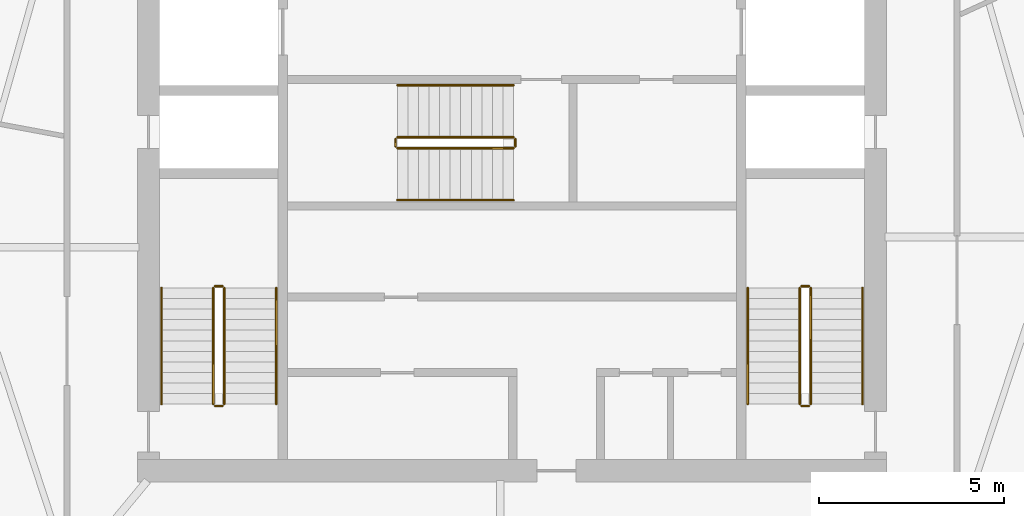
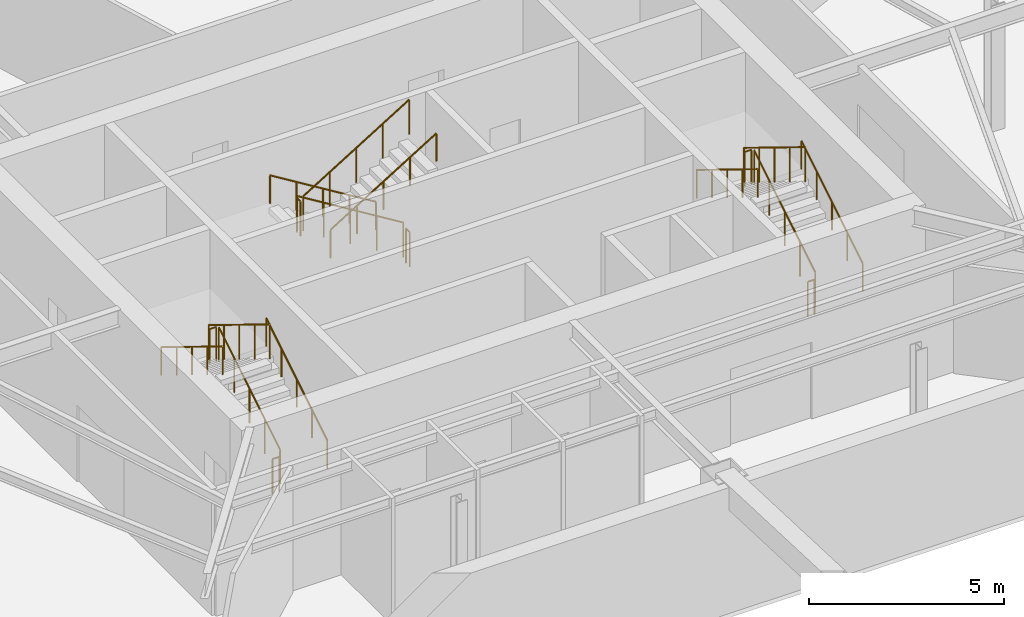
# One storey, part 8 of 8: 18 railings.
"""IFC4 building model written with IfcOpenShell, lengths in metres."""

from ifc_helpers import new_model, si_unit, direction, frame, origin, origin_2d, place, context, subcontext, project, spatial, circle, extrude, material, type_object, element, save


model = new_model("IFC4")

# Units and contexts
model_context = context("Model", 3, precision=1e-05, world=origin(), true_north=direction((0.0, 1.0)))
body_context = subcontext(model_context, "Body", "Model", "MODEL_VIEW")
ifc_project = project(units=[si_unit("LENGTHUNIT", "METRE"), si_unit("AREAUNIT", "SQUARE_METRE"), si_unit("VOLUMEUNIT", "CUBIC_METRE"), si_unit("PLANEANGLEUNIT", "RADIAN"), si_unit("MASSUNIT", "GRAM", prefix="KILO")], contexts=[model_context])

# Site, building, storey
site_placement = place(None, origin())
site = spatial("IfcSite", under=ifc_project, at=site_placement, CompositionType="ELEMENT")
building_placement = place(site_placement, origin())
building = spatial("IfcBuilding", under=site, at=building_placement, Name="Kavelnor Concourse Tower", CompositionType="ELEMENT")
storey_placement = place(building_placement, frame((0.0, 0.0, -4.199951171875)))
storey = spatial("IfcBuildingStorey", under=building, at=storey_placement, Name="B01", CompositionType="ELEMENT", Elevation=-4.199951171875)

# Railings
ifc_material = material(Name="Steel Grade 350", Category="steel")
railing_type_1 = type_object("IfcRailingType", Name="RLG-GUARD-1100", PredefinedType="GUARDRAIL", material=ifc_material)
railing_1_placement = place(storey_placement, frame((30.22998046875, 11.10009765625, 0.175048828125)))
element("IfcRailing", 1, at=railing_1_placement, inside=storey, type_object=railing_type_1, Name="B01 ST1 stair guard 1", PredefinedType="GUARDRAIL", context=body_context, shape_type="SweptSolid", body=[
    extrude(circle(Radius=0.02392578125, at=origin_2d()), frame((0.0, 0.0, 1.076171875), z_axis=(0.0, 0.852195625947, 0.523223293744), x_axis=(-1.0, 0.0, 0.0)), (0.0, 0.0, 1.0), 3.6787109375),
    extrude(circle(Radius=0.02099609375, at=origin_2d()), origin(), (0.0, 0.0, 1.0), 1.052001953125),
    extrude(circle(Radius=0.02099609375, at=origin_2d()), frame((0.0, 0.78369140625, 0.481201171875)), (0.0, 0.0, 1.0), 1.052001953125),
    extrude(circle(Radius=0.02099609375, at=origin_2d()), frame((0.0, 1.5673828125, 0.96240234375)), (0.0, 0.0, 1.0), 1.052001953125),
    extrude(circle(Radius=0.02099609375, at=origin_2d()), frame((0.0, 2.351318359375, 1.443603515625)), (0.0, 0.0, 1.0), 1.052001953125),
    extrude(circle(Radius=0.02099609375, at=origin_2d()), frame((0.0, 3.135009765625, 1.9248046875)), (0.0, 0.0, 1.0), 1.052001953125),
])
railing_2_placement = place(storey_placement, frame((30.179931640625, 14.284912109375, 2.099853515625)))
element("IfcRailing", 2, at=railing_2_placement, inside=storey, type_object=railing_type_1, Name="B01 ST1 stair guard 2", PredefinedType="GUARDRAIL", context=body_context, shape_type="SweptSolid", body=[
    extrude(circle(Radius=0.02392578125, at=origin_2d()), frame((0.0, 0.0, 1.076171875), z_axis=(-1.0, 0.0, 0.0), x_axis=(0.0, -1.0, 0.0)), (0.0, 0.0, 1.0), 0.199951171875),
    extrude(circle(Radius=0.02099609375, at=origin_2d()), origin(), (0.0, 0.0, 1.0), 1.052001953125),
    extrude(circle(Radius=0.02099609375, at=origin_2d()), frame((-0.199951171875, 0.0, 0.0)), (0.0, 0.0, 1.0), 1.052001953125),
])
railing_3_placement = place(storey_placement, frame((29.929931640625, 14.235107421875, 2.27490234375)))
element("IfcRailing", 3, at=railing_3_placement, inside=storey, type_object=railing_type_1, Name="B01 ST1 stair guard 3", PredefinedType="GUARDRAIL", context=body_context, shape_type="SweptSolid", body=[
    extrude(circle(Radius=0.02392578125, at=origin_2d()), frame((0.0, 0.0, 1.076171875), z_axis=(0.0, -0.852166034122, 0.523271488128), x_axis=(1.0, 0.0, 0.0)), (0.0, 0.0, 1.0), 3.678955078125),
    extrude(circle(Radius=0.02099609375, at=origin_2d()), origin(), (0.0, 0.0, 1.0), 1.052001953125),
    extrude(circle(Radius=0.02099609375, at=origin_2d()), frame((0.0, -0.78369140625, 0.481201171875)), (0.0, 0.0, 1.0), 1.052001953125),
    extrude(circle(Radius=0.02099609375, at=origin_2d()), frame((0.0, -1.5673828125, 0.96240234375)), (0.0, 0.0, 1.0), 1.052001953125),
    extrude(circle(Radius=0.02099609375, at=origin_2d()), frame((0.0, -2.351318359375, 1.44384765625)), (0.0, 0.0, 1.0), 1.052001953125),
    extrude(circle(Radius=0.02099609375, at=origin_2d()), frame((0.0, -3.135009765625, 1.925048828125)), (0.0, 0.0, 1.0), 1.052001953125),
])
railing_4_placement = place(storey_placement, frame((30.179931640625, 11.050048828125, 0.0)))
element("IfcRailing", 4, at=railing_4_placement, inside=storey, type_object=railing_type_1, Name="B01 ST1 stair guard 4", PredefinedType="GUARDRAIL", context=body_context, shape_type="SweptSolid", body=[
    extrude(circle(Radius=0.02392578125, at=origin_2d()), frame((0.0, 0.0, 1.076171875), z_axis=(-1.0, 0.0, 0.0), x_axis=(0.0, -1.0, 0.0)), (0.0, 0.0, 1.0), 0.199951171875),
    extrude(circle(Radius=0.02099609375, at=origin_2d()), origin(), (0.0, 0.0, 1.0), 1.052001953125),
    extrude(circle(Radius=0.02099609375, at=origin_2d()), frame((-0.199951171875, 0.0, 0.0)), (0.0, 0.0, 1.0), 1.052001953125),
])
railing_5_placement = place(storey_placement, frame((46.070068359375, 11.10009765625, 0.175048828125)))
element("IfcRailing", 5, at=railing_5_placement, inside=storey, type_object=railing_type_1, Name="B01 ST2 stair guard 1", PredefinedType="GUARDRAIL", context=body_context, shape_type="SweptSolid", body=[
    extrude(circle(Radius=0.02392578125, at=origin_2d()), frame((0.0, 0.0, 1.076171875), z_axis=(0.0, 0.852195625947, 0.523223293744), x_axis=(-1.0, 0.0, 0.0)), (0.0, 0.0, 1.0), 3.6787109375),
    extrude(circle(Radius=0.02099609375, at=origin_2d()), origin(), (0.0, 0.0, 1.0), 1.052001953125),
    extrude(circle(Radius=0.02099609375, at=origin_2d()), frame((0.0, 0.78369140625, 0.481201171875)), (0.0, 0.0, 1.0), 1.052001953125),
    extrude(circle(Radius=0.02099609375, at=origin_2d()), frame((0.0, 1.5673828125, 0.96240234375)), (0.0, 0.0, 1.0), 1.052001953125),
    extrude(circle(Radius=0.02099609375, at=origin_2d()), frame((0.0, 2.351318359375, 1.443603515625)), (0.0, 0.0, 1.0), 1.052001953125),
    extrude(circle(Radius=0.02099609375, at=origin_2d()), frame((0.0, 3.135009765625, 1.9248046875)), (0.0, 0.0, 1.0), 1.052001953125),
])
railing_6_placement = place(storey_placement, frame((46.02001953125, 14.284912109375, 2.099853515625)))
element("IfcRailing", 6, at=railing_6_placement, inside=storey, type_object=railing_type_1, Name="B01 ST2 stair guard 2", PredefinedType="GUARDRAIL", context=body_context, shape_type="SweptSolid", body=[
    extrude(circle(Radius=0.02392578125, at=origin_2d()), frame((0.0, 0.0, 1.076171875), z_axis=(-1.0, 0.0, 0.0), x_axis=(0.0, -1.0, 0.0)), (0.0, 0.0, 1.0), 0.199951171875),
    extrude(circle(Radius=0.02099609375, at=origin_2d()), origin(), (0.0, 0.0, 1.0), 1.052001953125),
    extrude(circle(Radius=0.02099609375, at=origin_2d()), frame((-0.199951171875, 0.0, 0.0)), (0.0, 0.0, 1.0), 1.052001953125),
])
railing_7_placement = place(storey_placement, frame((45.77001953125, 14.235107421875, 2.27490234375)))
element("IfcRailing", 7, at=railing_7_placement, inside=storey, type_object=railing_type_1, Name="B01 ST2 stair guard 3", PredefinedType="GUARDRAIL", context=body_context, shape_type="SweptSolid", body=[
    extrude(circle(Radius=0.02392578125, at=origin_2d()), frame((0.0, 0.0, 1.076171875), z_axis=(0.0, -0.852166034122, 0.523271488128), x_axis=(1.0, 0.0, 0.0)), (0.0, 0.0, 1.0), 3.678955078125),
    extrude(circle(Radius=0.02099609375, at=origin_2d()), origin(), (0.0, 0.0, 1.0), 1.052001953125),
    extrude(circle(Radius=0.02099609375, at=origin_2d()), frame((0.0, -0.78369140625, 0.481201171875)), (0.0, 0.0, 1.0), 1.052001953125),
    extrude(circle(Radius=0.02099609375, at=origin_2d()), frame((0.0, -1.5673828125, 0.96240234375)), (0.0, 0.0, 1.0), 1.052001953125),
    extrude(circle(Radius=0.02099609375, at=origin_2d()), frame((0.0, -2.351318359375, 1.44384765625)), (0.0, 0.0, 1.0), 1.052001953125),
    extrude(circle(Radius=0.02099609375, at=origin_2d()), frame((0.0, -3.135009765625, 1.925048828125)), (0.0, 0.0, 1.0), 1.052001953125),
])
railing_8_placement = place(storey_placement, frame((46.02001953125, 11.050048828125, 0.0)))
element("IfcRailing", 8, at=railing_8_placement, inside=storey, type_object=railing_type_1, Name="B01 ST2 stair guard 4", PredefinedType="GUARDRAIL", context=body_context, shape_type="SweptSolid", body=[
    extrude(circle(Radius=0.02392578125, at=origin_2d()), frame((0.0, 0.0, 1.076171875), z_axis=(-1.0, 0.0, 0.0), x_axis=(0.0, -1.0, 0.0)), (0.0, 0.0, 1.0), 0.199951171875),
    extrude(circle(Radius=0.02099609375, at=origin_2d()), origin(), (0.0, 0.0, 1.0), 1.052001953125),
    extrude(circle(Radius=0.02099609375, at=origin_2d()), frame((-0.199951171875, 0.0, 0.0)), (0.0, 0.0, 1.0), 1.052001953125),
])
railing_9_placement = place(storey_placement, frame((38.0400390625, 18.31005859375, 0.175048828125)))
element("IfcRailing", 9, at=railing_9_placement, inside=storey, type_object=railing_type_1, Name="B01 ST3 stair guard 1", PredefinedType="GUARDRAIL", context=body_context, shape_type="SweptSolid", body=[
    extrude(circle(Radius=0.02392578125, at=origin_2d()), frame((0.0, 0.0, 1.076171875), z_axis=(-0.852195625947, 0.0, 0.523223293744), x_axis=(0.0, -1.0, 0.0)), (0.0, 0.0, 1.0), 3.6787109375),
    extrude(circle(Radius=0.02099609375, at=origin_2d()), origin(), (0.0, 0.0, 1.0), 1.052001953125),
    extrude(circle(Radius=0.02099609375, at=origin_2d()), frame((-0.78369140625, 0.0, 0.481201171875)), (0.0, 0.0, 1.0), 1.052001953125),
    extrude(circle(Radius=0.02099609375, at=origin_2d()), frame((-1.5673828125, 0.0, 0.96240234375)), (0.0, 0.0, 1.0), 1.052001953125),
    extrude(circle(Radius=0.02099609375, at=origin_2d()), frame((-2.351318359375, 0.0, 1.443603515625)), (0.0, 0.0, 1.0), 1.052001953125),
    extrude(circle(Radius=0.02099609375, at=origin_2d()), frame((-3.135009765625, 0.0, 1.9248046875)), (0.0, 0.0, 1.0), 1.052001953125),
])
railing_10_placement = place(storey_placement, frame((34.85498046875, 18.260009765625, 2.099853515625)))
element("IfcRailing", 10, at=railing_10_placement, inside=storey, type_object=railing_type_1, Name="B01 ST3 stair guard 2", PredefinedType="GUARDRAIL", context=body_context, shape_type="SweptSolid", body=[
    extrude(circle(Radius=0.02392578125, at=origin_2d()), frame((0.0, 0.0, 1.076171875), z_axis=(0.0, -1.0, 0.0), x_axis=(1.0, 0.0, 0.0)), (0.0, 0.0, 1.0), 0.199951171875),
    extrude(circle(Radius=0.02099609375, at=origin_2d()), origin(), (0.0, 0.0, 1.0), 1.052001953125),
    extrude(circle(Radius=0.02099609375, at=origin_2d()), frame((0.0, -0.199951171875, 0.0)), (0.0, 0.0, 1.0), 1.052001953125),
])
railing_11_placement = place(storey_placement, frame((34.905029296875, 18.010009765625, 2.27490234375)))
element("IfcRailing", 11, at=railing_11_placement, inside=storey, type_object=railing_type_1, Name="B01 ST3 stair guard 3", PredefinedType="GUARDRAIL", context=body_context, shape_type="SweptSolid", body=[
    extrude(circle(Radius=0.02392578125, at=origin_2d()), frame((0.0, 0.0, 1.076171875), z_axis=(0.852166034122, 0.0, 0.523271488128), x_axis=(0.0, 1.0, 0.0)), (0.0, 0.0, 1.0), 3.678955078125),
    extrude(circle(Radius=0.02099609375, at=origin_2d()), origin(), (0.0, 0.0, 1.0), 1.052001953125),
    extrude(circle(Radius=0.02099609375, at=origin_2d()), frame((0.78369140625, 0.0, 0.481201171875)), (0.0, 0.0, 1.0), 1.052001953125),
    extrude(circle(Radius=0.02099609375, at=origin_2d()), frame((1.5673828125, 0.0, 0.96240234375)), (0.0, 0.0, 1.0), 1.052001953125),
    extrude(circle(Radius=0.02099609375, at=origin_2d()), frame((2.351318359375, 0.0, 1.44384765625)), (0.0, 0.0, 1.0), 1.052001953125),
    extrude(circle(Radius=0.02099609375, at=origin_2d()), frame((3.135009765625, 0.0, 1.925048828125)), (0.0, 0.0, 1.0), 1.052001953125),
])
railing_12_placement = place(storey_placement, frame((38.090087890625, 18.260009765625, 0.0)))
element("IfcRailing", 12, at=railing_12_placement, inside=storey, type_object=railing_type_1, Name="B01 ST3 stair guard 4", PredefinedType="GUARDRAIL", context=body_context, shape_type="SweptSolid", body=[
    extrude(circle(Radius=0.02392578125, at=origin_2d()), frame((0.0, 0.0, 1.076171875), z_axis=(0.0, -1.0, 0.0), x_axis=(1.0, 0.0, 0.0)), (0.0, 0.0, 1.0), 0.199951171875),
    extrude(circle(Radius=0.02099609375, at=origin_2d()), origin(), (0.0, 0.0, 1.0), 1.052001953125),
    extrude(circle(Radius=0.02099609375, at=origin_2d()), frame((0.0, -0.199951171875, 0.0)), (0.0, 0.0, 1.0), 1.052001953125),
])
railing_type_2 = type_object("IfcRailingType", Name="RLG-HANDRAIL-900", PredefinedType="HANDRAIL", material=ifc_material)
railing_13_placement = place(storey_placement, frame((31.6298828125, 11.10009765625, 0.175048828125)))
element("IfcRailing", 13, at=railing_13_placement, inside=storey, type_object=railing_type_2, Name="B01 ST1 stair handrail 1", PredefinedType="HANDRAIL", context=body_context, shape_type="SweptSolid", body=[
    extrude(circle(Radius=0.02392578125, at=origin_2d()), frame((0.0, 0.0, 0.8759765625), z_axis=(0.0, 0.852195625947, 0.523223293744), x_axis=(-1.0, 0.0, 0.0)), (0.0, 0.0, 1.0), 3.6787109375),
    extrude(circle(Radius=0.02099609375, at=origin_2d()), origin(), (0.0, 0.0, 1.0), 0.851806640625),
    extrude(circle(Radius=0.02099609375, at=origin_2d()), frame((0.0, 0.78369140625, 0.481201171875)), (0.0, 0.0, 1.0), 0.851806640625),
    extrude(circle(Radius=0.02099609375, at=origin_2d()), frame((0.0, 1.5673828125, 0.96240234375)), (0.0, 0.0, 1.0), 0.851806640625),
    extrude(circle(Radius=0.02099609375, at=origin_2d()), frame((0.0, 2.351318359375, 1.443603515625)), (0.0, 0.0, 1.0), 0.851806640625),
    extrude(circle(Radius=0.02099609375, at=origin_2d()), frame((0.0, 3.135009765625, 1.9248046875)), (0.0, 0.0, 1.0), 0.851806640625),
])
railing_14_placement = place(storey_placement, frame((28.530029296875, 14.235107421875, 2.27490234375)))
element("IfcRailing", 14, at=railing_14_placement, inside=storey, type_object=railing_type_2, Name="B01 ST1 stair handrail 2", PredefinedType="HANDRAIL", context=body_context, shape_type="SweptSolid", body=[
    extrude(circle(Radius=0.02392578125, at=origin_2d()), frame((0.0, 0.0, 0.8759765625), z_axis=(0.0, -0.852166034122, 0.523271488128), x_axis=(1.0, 0.0, 0.0)), (0.0, 0.0, 1.0), 3.678955078125),
    extrude(circle(Radius=0.02099609375, at=origin_2d()), origin(), (0.0, 0.0, 1.0), 0.851806640625),
    extrude(circle(Radius=0.02099609375, at=origin_2d()), frame((0.0, -0.78369140625, 0.481201171875)), (0.0, 0.0, 1.0), 0.851806640625),
    extrude(circle(Radius=0.02099609375, at=origin_2d()), frame((0.0, -1.5673828125, 0.96240234375)), (0.0, 0.0, 1.0), 0.851806640625),
    extrude(circle(Radius=0.02099609375, at=origin_2d()), frame((0.0, -2.351318359375, 1.44384765625)), (0.0, 0.0, 1.0), 0.851806640625),
    extrude(circle(Radius=0.02099609375, at=origin_2d()), frame((0.0, -3.135009765625, 1.925048828125)), (0.0, 0.0, 1.0), 0.851806640625),
])
railing_15_placement = place(storey_placement, frame((47.469970703125, 11.10009765625, 0.175048828125)))
element("IfcRailing", 15, at=railing_15_placement, inside=storey, type_object=railing_type_2, Name="B01 ST2 stair handrail 1", PredefinedType="HANDRAIL", context=body_context, shape_type="SweptSolid", body=[
    extrude(circle(Radius=0.02392578125, at=origin_2d()), frame((0.0, 0.0, 0.8759765625), z_axis=(0.0, 0.852195625947, 0.523223293744), x_axis=(-1.0, 0.0, 0.0)), (0.0, 0.0, 1.0), 3.6787109375),
    extrude(circle(Radius=0.02099609375, at=origin_2d()), origin(), (0.0, 0.0, 1.0), 0.851806640625),
    extrude(circle(Radius=0.02099609375, at=origin_2d()), frame((0.0, 0.78369140625, 0.481201171875)), (0.0, 0.0, 1.0), 0.851806640625),
    extrude(circle(Radius=0.02099609375, at=origin_2d()), frame((0.0, 1.5673828125, 0.96240234375)), (0.0, 0.0, 1.0), 0.851806640625),
    extrude(circle(Radius=0.02099609375, at=origin_2d()), frame((0.0, 2.351318359375, 1.443603515625)), (0.0, 0.0, 1.0), 0.851806640625),
    extrude(circle(Radius=0.02099609375, at=origin_2d()), frame((0.0, 3.135009765625, 1.9248046875)), (0.0, 0.0, 1.0), 0.851806640625),
])
railing_16_placement = place(storey_placement, frame((44.3701171875, 14.235107421875, 2.27490234375)))
element("IfcRailing", 16, at=railing_16_placement, inside=storey, type_object=railing_type_2, Name="B01 ST2 stair handrail 2", PredefinedType="HANDRAIL", context=body_context, shape_type="SweptSolid", body=[
    extrude(circle(Radius=0.02392578125, at=origin_2d()), frame((0.0, 0.0, 0.8759765625), z_axis=(0.0, -0.852166034122, 0.523271488128), x_axis=(1.0, 0.0, 0.0)), (0.0, 0.0, 1.0), 3.678955078125),
    extrude(circle(Radius=0.02099609375, at=origin_2d()), origin(), (0.0, 0.0, 1.0), 0.851806640625),
    extrude(circle(Radius=0.02099609375, at=origin_2d()), frame((0.0, -0.78369140625, 0.481201171875)), (0.0, 0.0, 1.0), 0.851806640625),
    extrude(circle(Radius=0.02099609375, at=origin_2d()), frame((0.0, -1.5673828125, 0.96240234375)), (0.0, 0.0, 1.0), 0.851806640625),
    extrude(circle(Radius=0.02099609375, at=origin_2d()), frame((0.0, -2.351318359375, 1.44384765625)), (0.0, 0.0, 1.0), 0.851806640625),
    extrude(circle(Radius=0.02099609375, at=origin_2d()), frame((0.0, -3.135009765625, 1.925048828125)), (0.0, 0.0, 1.0), 0.851806640625),
])
railing_17_placement = place(storey_placement, frame((38.0400390625, 19.7099609375, 0.175048828125)))
element("IfcRailing", 17, at=railing_17_placement, inside=storey, type_object=railing_type_2, Name="B01 ST3 stair handrail 1", PredefinedType="HANDRAIL", context=body_context, shape_type="SweptSolid", body=[
    extrude(circle(Radius=0.02392578125, at=origin_2d()), frame((0.0, 0.0, 0.8759765625), z_axis=(-0.852195625947, 0.0, 0.523223293744), x_axis=(0.0, -1.0, 0.0)), (0.0, 0.0, 1.0), 3.6787109375),
    extrude(circle(Radius=0.02099609375, at=origin_2d()), origin(), (0.0, 0.0, 1.0), 0.851806640625),
    extrude(circle(Radius=0.02099609375, at=origin_2d()), frame((-0.78369140625, 0.0, 0.481201171875)), (0.0, 0.0, 1.0), 0.851806640625),
    extrude(circle(Radius=0.02099609375, at=origin_2d()), frame((-1.5673828125, 0.0, 0.96240234375)), (0.0, 0.0, 1.0), 0.851806640625),
    extrude(circle(Radius=0.02099609375, at=origin_2d()), frame((-2.351318359375, 0.0, 1.443603515625)), (0.0, 0.0, 1.0), 0.851806640625),
    extrude(circle(Radius=0.02099609375, at=origin_2d()), frame((-3.135009765625, 0.0, 1.9248046875)), (0.0, 0.0, 1.0), 0.851806640625),
])
railing_18_placement = place(storey_placement, frame((34.905029296875, 16.610107421875, 2.27490234375)))
element("IfcRailing", 18, at=railing_18_placement, inside=storey, type_object=railing_type_2, Name="B01 ST3 stair handrail 2", PredefinedType="HANDRAIL", context=body_context, shape_type="SweptSolid", body=[
    extrude(circle(Radius=0.02392578125, at=origin_2d()), frame((0.0, 0.0, 0.8759765625), z_axis=(0.852166034122, 0.0, 0.523271488128), x_axis=(0.0, 1.0, 0.0)), (0.0, 0.0, 1.0), 3.678955078125),
    extrude(circle(Radius=0.02099609375, at=origin_2d()), origin(), (0.0, 0.0, 1.0), 0.851806640625),
    extrude(circle(Radius=0.02099609375, at=origin_2d()), frame((0.78369140625, 0.0, 0.481201171875)), (0.0, 0.0, 1.0), 0.851806640625),
    extrude(circle(Radius=0.02099609375, at=origin_2d()), frame((1.5673828125, 0.0, 0.96240234375)), (0.0, 0.0, 1.0), 0.851806640625),
    extrude(circle(Radius=0.02099609375, at=origin_2d()), frame((2.351318359375, 0.0, 1.44384765625)), (0.0, 0.0, 1.0), 0.851806640625),
    extrude(circle(Radius=0.02099609375, at=origin_2d()), frame((3.135009765625, 0.0, 1.925048828125)), (0.0, 0.0, 1.0), 0.851806640625),
])

save(model, "model.ifc")
